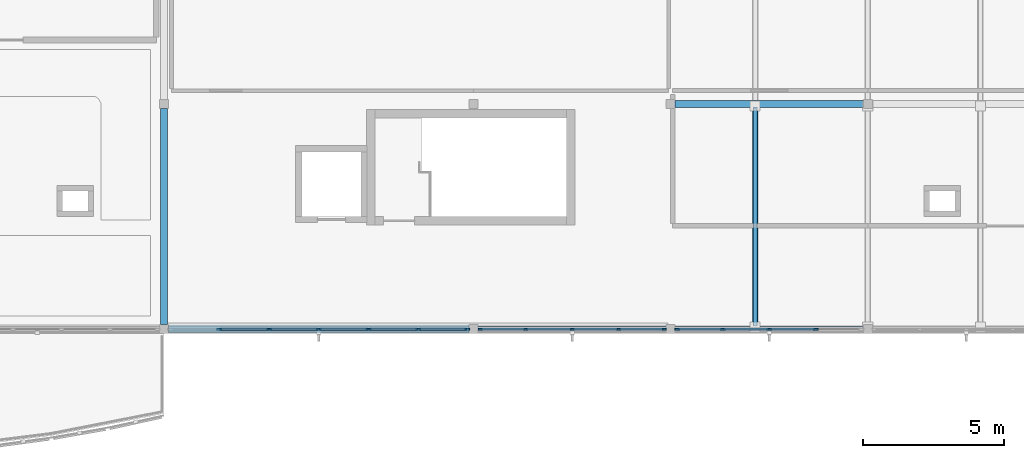
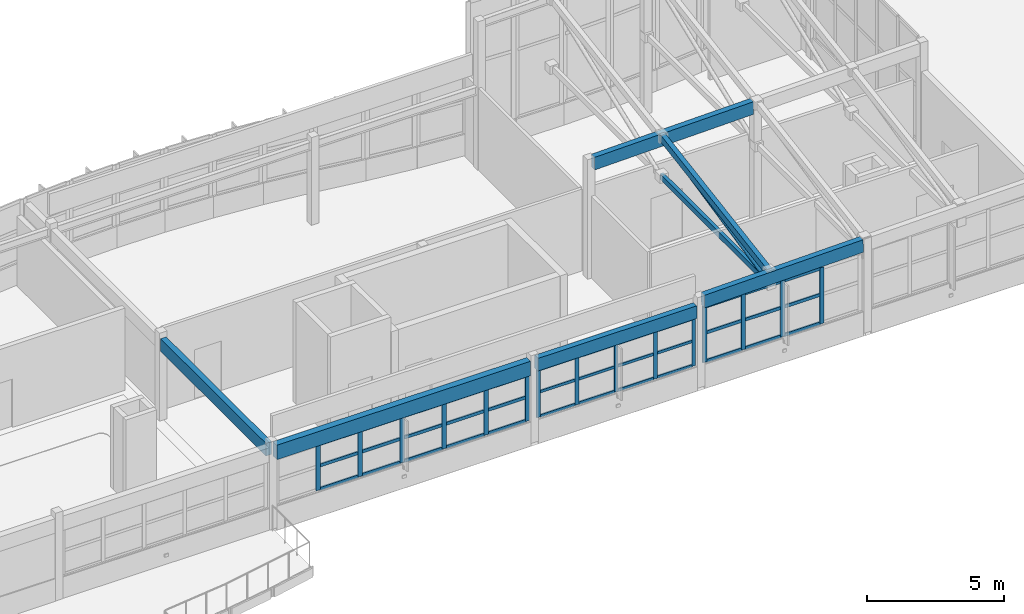
# One storey, part 9 of 33: 54 members, 5 beams, 3 elements without a shape of their own.
"""IFC4 building model written with IfcOpenShell, lengths in metres."""

from ifc_helpers import new_model, si_unit, direction, frame, origin, origin_2d, place, context, subcontext, project, spatial, rectangle, hollow_rectangle, hollow_circle, extrude, material, layer, layer_set, material_profile, profile_set, type_object, element, aggregate, save


model = new_model("IFC4")

# Units and contexts
model_context = context("Model", 3, precision=1e-05, world=origin(), true_north=direction((0.0, 1.0)))
body_context = subcontext(model_context, "Body", "Model", "MODEL_VIEW")
ifc_project = project(units=[si_unit("LENGTHUNIT", "METRE"), si_unit("AREAUNIT", "SQUARE_METRE"), si_unit("VOLUMEUNIT", "CUBIC_METRE"), si_unit("PLANEANGLEUNIT", "RADIAN"), si_unit("MASSUNIT", "GRAM", prefix="KILO")], contexts=[model_context])

# Site, building, storey
site_placement = place(None, origin())
site = spatial("IfcSite", under=ifc_project, at=site_placement, CompositionType="ELEMENT")
building_placement = place(site_placement, origin())
building = spatial("IfcBuilding", under=site, at=building_placement, Name="Tonlespit Floodbar School", CompositionType="ELEMENT")
storey_placement = place(building_placement, frame((0.0, 0.0, 16.199951171875)))
storey = spatial("IfcBuildingStorey", under=building, at=storey_placement, Name="L04", CompositionType="ELEMENT", Elevation=16.199951171875)

# Beams
ifc_material_1 = material(Name="Glulam GL28h", Category="wood")
ifc_material_profile_1 = material_profile(ifc_material_1, rectangle(XDim=0.239990234375, YDim=0.56005859375, at=origin_2d()), Name="GL 240x560")
ifc_profile_set_1 = profile_set([ifc_material_profile_1], Name="Glulam GL28h")
beam_type_1 = type_object("IfcBeamType", Name="Beam_GL_240x560", PredefinedType="BEAM", material=ifc_profile_set_1)
beam_1_placement = place(storey_placement, frame((127.159912109375, 104.0, 3.3701171875), z_axis=(1.0, 0.0, 0.0), x_axis=(0.0, 1.0, 0.0)))
element("IfcBeam", 1, at=beam_1_placement, inside=storey, type_object=beam_type_1, Name="L04 girder 1288", PredefinedType="BEAM", context=body_context, shape_type="SweptSolid", body=[
    extrude(rectangle(XDim=0.239990234375, YDim=0.56005859375, at=origin_2d()), origin(), (0.0, 0.0, 1.0), 6.68017578125),
])
for number, where, z_axis, x_axis, name in (
    (2, (134.159912109375, 104.0, 3.7236328125), (0.999786121149, 0.0, 0.020681198179), (0.0, 1.0, 0.0), "L04 girder 1289"),
    (3, (134.159912109375, 112.0, 5.007080078125), (0.999786121149, 0.0, 0.020681198179), (0.0, 1.0, 0.0), "L04 girder 1295"),
):
    element("IfcBeam", number, at=place(storey_placement, frame(where, z_axis=z_axis, x_axis=x_axis)), inside=storey, type_object=beam_type_1, Name=name, PredefinedType="BEAM", context=body_context, shape_type="SweptSolid", body=[
        extrude(rectangle(XDim=0.239990234375, YDim=0.56005859375, at=origin_2d()), origin(), (0.0, 0.0, 1.0), 6.681640625),
    ])
beam_2_placement = place(storey_placement, frame((116.0, 104.159912109375, 3.3701171875), z_axis=(0.0, 1.0, 0.0), x_axis=(-1.0, 0.0, 0.0)))
element("IfcBeam", 4, at=beam_2_placement, inside=storey, type_object=beam_type_1, Name="L04 girder 1319", PredefinedType="BEAM", context=body_context, shape_type="SweptSolid", body=[
    extrude(rectangle(XDim=0.239990234375, YDim=0.56005859375, at=origin_2d()), origin(), (0.0, 0.0, 1.0), 7.68017578125),
])
ifc_material_profile_2 = material_profile(ifc_material_1, rectangle(XDim=0.280029296875, YDim=0.639892578125, at=origin_2d()), Name="GL 280x640")
ifc_profile_set_2 = profile_set([ifc_material_profile_2], Name="Glulam GL28h")
beam_type_2 = type_object("IfcBeamType", Name="Beam_GL_280x640", PredefinedType="BEAM", material=ifc_profile_set_2)
beam_3_placement = place(storey_placement, frame((116.159912109375, 104.0, 3.330078125), z_axis=(1.0, 0.0, 0.0), x_axis=(0.0, 1.0, 0.0)))
element("IfcBeam", 5, at=beam_3_placement, inside=storey, type_object=beam_type_2, Name="L04 girder 1287", PredefinedType="BEAM", context=body_context, shape_type="SweptSolid", body=[
    extrude(rectangle(XDim=0.280029296875, YDim=0.639892578125, at=origin_2d()), origin(), (0.0, 0.0, 1.0), 10.68017578125),
])

# Member
ifc_material_2 = material(Name="Steel S355", Category="steel")
ifc_material_profile_3 = material_profile(ifc_material_2, hollow_circle(Radius=0.084228515625, WallThickness=0.008056640625, at=origin_2d()), Name="CHS 168.3x8")
ifc_profile_set_3 = profile_set([ifc_material_profile_3], Name="Steel S355")
member_type_1 = type_object("IfcMemberType", Name="Brace_STL_CHS168", PredefinedType="BRACE", material=ifc_profile_set_3)
member_1_placement = place(storey_placement, frame((137.0, 104.1201171875, 3.47998046875), z_axis=(0.0, 0.976943309794, 0.213498874586), x_axis=(-1.0, 0.0, 0.0)))
element("IfcMember", 6, at=member_1_placement, inside=storey, type_object=member_type_1, Name="Northlight truss diagonal web 1-1", PredefinedType="BRACE", context=body_context, shape_type="SweptSolid", body=[
    extrude(hollow_circle(Radius=0.084228515625, WallThickness=0.008056640625, at=origin_2d()), origin(), (0.0, 0.0, 1.0), 7.94287109375),
])

# Curtain wall, members
ifc_material_3 = material(Name="Anodised Aluminium", Category="aluminium")
ifc_layer_1 = layer(ifc_material_3, 0.159912109375)
ifc_layer_set_1 = layer_set([ifc_layer_1], Name="Anodised Aluminium")
curtain_wall_type_1 = type_object("IfcCurtainWallType", Name="CurtainWall_6600x2150", PredefinedType="NOTDEFINED", material=ifc_layer_set_1)
curtain_wall_1_placement = place(storey_placement, origin())
curtain_wall_1 = element("IfcCurtainWall", 7, at=curtain_wall_1_placement, inside=storey, type_object=curtain_wall_type_1, Name="L04 unitised curtain wall 0494", PredefinedType="NOTDEFINED")
ifc_material_profile_4 = material_profile(ifc_material_3, rectangle(XDim=0.06494140625, YDim=0.14990234375, at=origin_2d()), Name="ALU M65x150")
ifc_profile_set_4 = profile_set([ifc_material_profile_4], Name="Anodised Aluminium")
member_type_2 = type_object("IfcMemberType", Name="CW_Mullion_65x150", PredefinedType="MULLION", material=ifc_profile_set_4)
member_2_placement = place(storey_placement, frame((133.767578125, 104.0, 0.949951171875), z_axis=(0.0, 0.0, 1.0), x_axis=(0.0, -1.0, 0.0)))
member_2 = element("IfcMember", 8, at=member_2_placement, type_object=member_type_2, Name="CW-79 mullion 1", PredefinedType="MULLION", context=body_context, shape_type="SweptSolid", body=[
    extrude(rectangle(XDim=0.06494140625, YDim=0.14990234375, at=origin_2d()), origin(), (0.0, 0.0, 1.0), 2.14013671875),
])
member_3_placement = place(storey_placement, frame((132.14990234375, 104.0, 0.949951171875), z_axis=(0.0, 0.0, 1.0), x_axis=(0.0, -1.0, 0.0)))
member_3 = element("IfcMember", 9, at=member_3_placement, type_object=member_type_2, Name="CW-79 mullion 2", PredefinedType="MULLION", context=body_context, shape_type="SweptSolid", body=[
    extrude(rectangle(XDim=0.06494140625, YDim=0.14990234375, at=origin_2d()), origin(), (0.0, 0.0, 1.0), 2.14013671875),
])
member_4_placement = place(storey_placement, frame((130.5, 104.0, 0.949951171875), z_axis=(0.0, 0.0, 1.0), x_axis=(0.0, -1.0, 0.0)))
member_4 = element("IfcMember", 10, at=member_4_placement, type_object=member_type_2, Name="CW-79 mullion 3", PredefinedType="MULLION", context=body_context, shape_type="SweptSolid", body=[
    extrude(rectangle(XDim=0.06494140625, YDim=0.14990234375, at=origin_2d()), origin(), (0.0, 0.0, 1.0), 2.14013671875),
])
member_5_placement = place(storey_placement, frame((128.85009765625, 104.0, 0.949951171875), z_axis=(0.0, 0.0, 1.0), x_axis=(0.0, -1.0, 0.0)))
member_5 = element("IfcMember", 11, at=member_5_placement, type_object=member_type_2, Name="CW-79 mullion 4", PredefinedType="MULLION", context=body_context, shape_type="SweptSolid", body=[
    extrude(rectangle(XDim=0.06494140625, YDim=0.14990234375, at=origin_2d()), origin(), (0.0, 0.0, 1.0), 2.14013671875),
])
member_6_placement = place(storey_placement, frame((127.232421875, 104.0, 0.949951171875), z_axis=(0.0, 0.0, 1.0), x_axis=(0.0, -1.0, 0.0)))
member_6 = element("IfcMember", 12, at=member_6_placement, type_object=member_type_2, Name="CW-79 mullion 5", PredefinedType="MULLION", context=body_context, shape_type="SweptSolid", body=[
    extrude(rectangle(XDim=0.06494140625, YDim=0.14990234375, at=origin_2d()), origin(), (0.0, 0.0, 1.0), 2.14013671875),
])

ifc_layer_2 = layer(ifc_material_3, 0.159912109375)
ifc_layer_set_2 = layer_set([ifc_layer_2], Name="Anodised Aluminium")
curtain_wall_type_2 = type_object("IfcCurtainWallType", Name="CurtainWall_6600x2500", PredefinedType="NOTDEFINED", material=ifc_layer_set_2)
curtain_wall_2_placement = place(storey_placement, origin())
curtain_wall_2 = element("IfcCurtainWall", 13, at=curtain_wall_2_placement, inside=storey, type_object=curtain_wall_type_2, Name="L04 unitised curtain wall 0493", PredefinedType="NOTDEFINED")
ifc_material_profile_5 = material_profile(ifc_material_3, rectangle(XDim=0.06494140625, YDim=0.179931640625, at=origin_2d()), Name="ALU M65x180")
ifc_profile_set_5 = profile_set([ifc_material_profile_5], Name="Anodised Aluminium")
member_type_3 = type_object("IfcMemberType", Name="CW_Mullion_65x180", PredefinedType="MULLION", material=ifc_profile_set_5)
member_7_placement = place(storey_placement, frame((139.14990234375, 104.0, 0.949951171875), z_axis=(0.0, 0.0, 1.0), x_axis=(0.0, -1.0, 0.0)))
member_7 = element("IfcMember", 14, at=member_7_placement, type_object=member_type_3, Name="CW-78 mullion 2", PredefinedType="MULLION", context=body_context, shape_type="SweptSolid", body=[
    extrude(rectangle(XDim=0.06494140625, YDim=0.179931640625, at=origin_2d()), origin(), (0.0, 0.0, 1.0), 2.49365234375),
])
member_8_placement = place(storey_placement, frame((137.5, 104.0, 0.949951171875), z_axis=(0.0, 0.0, 1.0), x_axis=(0.0, -1.0, 0.0)))
member_8 = element("IfcMember", 15, at=member_8_placement, type_object=member_type_3, Name="CW-78 mullion 3", PredefinedType="MULLION", context=body_context, shape_type="SweptSolid", body=[
    extrude(rectangle(XDim=0.06494140625, YDim=0.179931640625, at=origin_2d()), origin(), (0.0, 0.0, 1.0), 2.49365234375),
])
member_9_placement = place(storey_placement, frame((135.85009765625, 104.0, 0.949951171875), z_axis=(0.0, 0.0, 1.0), x_axis=(0.0, -1.0, 0.0)))
member_9 = element("IfcMember", 16, at=member_9_placement, type_object=member_type_3, Name="CW-78 mullion 4", PredefinedType="MULLION", context=body_context, shape_type="SweptSolid", body=[
    extrude(rectangle(XDim=0.06494140625, YDim=0.179931640625, at=origin_2d()), origin(), (0.0, 0.0, 1.0), 2.49365234375),
])
member_10_placement = place(storey_placement, frame((134.232421875, 104.0, 0.949951171875), z_axis=(0.0, 0.0, 1.0), x_axis=(0.0, -1.0, 0.0)))
member_10 = element("IfcMember", 17, at=member_10_placement, type_object=member_type_3, Name="CW-78 mullion 5", PredefinedType="MULLION", context=body_context, shape_type="SweptSolid", body=[
    extrude(rectangle(XDim=0.06494140625, YDim=0.179931640625, at=origin_2d()), origin(), (0.0, 0.0, 1.0), 2.49365234375),
])

ifc_layer_3 = layer(ifc_material_3, 0.159912109375)
ifc_layer_set_3 = layer_set([ifc_layer_3], Name="Anodised Aluminium")
curtain_wall_type_3 = type_object("IfcCurtainWallType", Name="CurtainWall_10600x2050", PredefinedType="NOTDEFINED", material=ifc_layer_set_3)
curtain_wall_3_placement = place(storey_placement, origin())
curtain_wall_3 = element("IfcCurtainWall", 18, at=curtain_wall_3_placement, inside=storey, type_object=curtain_wall_type_3, Name="L04 unitised curtain wall 0495", PredefinedType="NOTDEFINED")
member_11_placement = place(storey_placement, frame((126.767578125, 104.0, 0.949951171875), z_axis=(0.0, 0.0, 1.0), x_axis=(0.0, -1.0, 0.0)))
member_11 = element("IfcMember", 19, at=member_11_placement, type_object=member_type_3, Name="CW-80 mullion 1", PredefinedType="MULLION", context=body_context, shape_type="SweptSolid", body=[
    extrude(rectangle(XDim=0.06494140625, YDim=0.179931640625, at=origin_2d()), origin(), (0.0, 0.0, 1.0), 2.06005859375),
])
member_12_placement = place(storey_placement, frame((125.033447265625, 104.0, 0.949951171875), z_axis=(0.0, 0.0, 1.0), x_axis=(0.0, -1.0, 0.0)))
member_12 = element("IfcMember", 20, at=member_12_placement, type_object=member_type_3, Name="CW-80 mullion 2", PredefinedType="MULLION", context=body_context, shape_type="SweptSolid", body=[
    extrude(rectangle(XDim=0.06494140625, YDim=0.179931640625, at=origin_2d()), origin(), (0.0, 0.0, 1.0), 2.06005859375),
])
member_13_placement = place(storey_placement, frame((123.2666015625, 104.0, 0.949951171875), z_axis=(0.0, 0.0, 1.0), x_axis=(0.0, -1.0, 0.0)))
member_13 = element("IfcMember", 21, at=member_13_placement, type_object=member_type_3, Name="CW-80 mullion 3", PredefinedType="MULLION", context=body_context, shape_type="SweptSolid", body=[
    extrude(rectangle(XDim=0.06494140625, YDim=0.179931640625, at=origin_2d()), origin(), (0.0, 0.0, 1.0), 2.06005859375),
])
member_14_placement = place(storey_placement, frame((121.5, 104.0, 0.949951171875), z_axis=(0.0, 0.0, 1.0), x_axis=(0.0, -1.0, 0.0)))
member_14 = element("IfcMember", 22, at=member_14_placement, type_object=member_type_3, Name="CW-80 mullion 4", PredefinedType="MULLION", context=body_context, shape_type="SweptSolid", body=[
    extrude(rectangle(XDim=0.06494140625, YDim=0.179931640625, at=origin_2d()), origin(), (0.0, 0.0, 1.0), 2.06005859375),
])
member_15_placement = place(storey_placement, frame((119.7333984375, 104.0, 0.949951171875), z_axis=(0.0, 0.0, 1.0), x_axis=(0.0, -1.0, 0.0)))
member_15 = element("IfcMember", 23, at=member_15_placement, type_object=member_type_3, Name="CW-80 mullion 5", PredefinedType="MULLION", context=body_context, shape_type="SweptSolid", body=[
    extrude(rectangle(XDim=0.06494140625, YDim=0.179931640625, at=origin_2d()), origin(), (0.0, 0.0, 1.0), 2.06005859375),
])
member_16_placement = place(storey_placement, frame((117.966552734375, 104.0, 0.949951171875), z_axis=(0.0, 0.0, 1.0), x_axis=(0.0, -1.0, 0.0)))
member_16 = element("IfcMember", 24, at=member_16_placement, type_object=member_type_3, Name="CW-80 mullion 6", PredefinedType="MULLION", context=body_context, shape_type="SweptSolid", body=[
    extrude(rectangle(XDim=0.06494140625, YDim=0.179931640625, at=origin_2d()), origin(), (0.0, 0.0, 1.0), 2.06005859375),
])

# Member
ifc_material_profile_6 = material_profile(ifc_material_3, rectangle(XDim=0.06494140625, YDim=0.1201171875, at=origin_2d()), Name="ALU T65x120")
ifc_profile_set_6 = profile_set([ifc_material_profile_6], Name="Anodised Aluminium")
member_type_4 = type_object("IfcMemberType", Name="CW_Transom_65x120", PredefinedType="USERDEFINED", material=ifc_profile_set_6)
member_17_placement = place(storey_placement, frame((133.735107421875, 104.0, 0.982666015625), z_axis=(-1.0, 0.0, 0.0), x_axis=(0.0, -1.0, 0.0)))
member_17 = element("IfcMember", 25, at=member_17_placement, type_object=member_type_4, Name="CW-79 transom 1.1", ObjectType="TRANSOM", PredefinedType="USERDEFINED", context=body_context, shape_type="SweptSolid", body=[
    extrude(rectangle(XDim=0.06494140625, YDim=0.1201171875, at=origin_2d()), origin(), (0.0, 0.0, 1.0), 1.552490234375),
])

member_18_placement = place(storey_placement, frame((133.735107421875, 104.0, 2.062744140625), z_axis=(-1.0, 0.0, 0.0), x_axis=(0.0, -1.0, 0.0)))
member_18 = element("IfcMember", 26, at=member_18_placement, type_object=member_type_4, Name="CW-79 transom 1.2", ObjectType="TRANSOM", PredefinedType="USERDEFINED", context=body_context, shape_type="SweptSolid", body=[
    extrude(rectangle(XDim=0.06494140625, YDim=0.1201171875, at=origin_2d()), origin(), (0.0, 0.0, 1.0), 1.552490234375),
])

member_19_placement = place(storey_placement, frame((133.735107421875, 104.0, 3.0576171875), z_axis=(-1.0, 0.0, 0.0), x_axis=(0.0, -1.0, 0.0)))
member_19 = element("IfcMember", 27, at=member_19_placement, type_object=member_type_4, Name="CW-79 transom 1.3", ObjectType="TRANSOM", PredefinedType="USERDEFINED", context=body_context, shape_type="SweptSolid", body=[
    extrude(rectangle(XDim=0.06494140625, YDim=0.1201171875, at=origin_2d()), origin(), (0.0, 0.0, 1.0), 1.552490234375),
])

member_20_placement = place(storey_placement, frame((132.117431640625, 104.0, 0.982666015625), z_axis=(-1.0, 0.0, 0.0), x_axis=(0.0, -1.0, 0.0)))
member_20 = element("IfcMember", 28, at=member_20_placement, type_object=member_type_4, Name="CW-79 transom 2.1", ObjectType="TRANSOM", PredefinedType="USERDEFINED", context=body_context, shape_type="SweptSolid", body=[
    extrude(rectangle(XDim=0.06494140625, YDim=0.1201171875, at=origin_2d()), origin(), (0.0, 0.0, 1.0), 1.5849609375),
])

member_21_placement = place(storey_placement, frame((132.117431640625, 104.0, 2.062744140625), z_axis=(-1.0, 0.0, 0.0), x_axis=(0.0, -1.0, 0.0)))
member_21 = element("IfcMember", 29, at=member_21_placement, type_object=member_type_4, Name="CW-79 transom 2.2", ObjectType="TRANSOM", PredefinedType="USERDEFINED", context=body_context, shape_type="SweptSolid", body=[
    extrude(rectangle(XDim=0.06494140625, YDim=0.1201171875, at=origin_2d()), origin(), (0.0, 0.0, 1.0), 1.5849609375),
])

member_22_placement = place(storey_placement, frame((132.117431640625, 104.0, 3.0576171875), z_axis=(-1.0, 0.0, 0.0), x_axis=(0.0, -1.0, 0.0)))
member_22 = element("IfcMember", 30, at=member_22_placement, type_object=member_type_4, Name="CW-79 transom 2.3", ObjectType="TRANSOM", PredefinedType="USERDEFINED", context=body_context, shape_type="SweptSolid", body=[
    extrude(rectangle(XDim=0.06494140625, YDim=0.1201171875, at=origin_2d()), origin(), (0.0, 0.0, 1.0), 1.5849609375),
])

member_23_placement = place(storey_placement, frame((130.467529296875, 104.0, 0.982666015625), z_axis=(-1.0, 0.0, 0.0), x_axis=(0.0, -1.0, 0.0)))
member_23 = element("IfcMember", 31, at=member_23_placement, type_object=member_type_4, Name="CW-79 transom 3.1", ObjectType="TRANSOM", PredefinedType="USERDEFINED", context=body_context, shape_type="SweptSolid", body=[
    extrude(rectangle(XDim=0.06494140625, YDim=0.1201171875, at=origin_2d()), origin(), (0.0, 0.0, 1.0), 1.5849609375),
])

member_24_placement = place(storey_placement, frame((130.467529296875, 104.0, 2.062744140625), z_axis=(-1.0, 0.0, 0.0), x_axis=(0.0, -1.0, 0.0)))
member_24 = element("IfcMember", 32, at=member_24_placement, type_object=member_type_4, Name="CW-79 transom 3.2", ObjectType="TRANSOM", PredefinedType="USERDEFINED", context=body_context, shape_type="SweptSolid", body=[
    extrude(rectangle(XDim=0.06494140625, YDim=0.1201171875, at=origin_2d()), origin(), (0.0, 0.0, 1.0), 1.5849609375),
])

member_25_placement = place(storey_placement, frame((130.467529296875, 104.0, 3.0576171875), z_axis=(-1.0, 0.0, 0.0), x_axis=(0.0, -1.0, 0.0)))
member_25 = element("IfcMember", 33, at=member_25_placement, type_object=member_type_4, Name="CW-79 transom 3.3", ObjectType="TRANSOM", PredefinedType="USERDEFINED", context=body_context, shape_type="SweptSolid", body=[
    extrude(rectangle(XDim=0.06494140625, YDim=0.1201171875, at=origin_2d()), origin(), (0.0, 0.0, 1.0), 1.5849609375),
])

member_26_placement = place(storey_placement, frame((128.8173828125, 104.0, 0.982666015625), z_axis=(-1.0, 0.0, 0.0), x_axis=(0.0, -1.0, 0.0)))
member_26 = element("IfcMember", 34, at=member_26_placement, type_object=member_type_4, Name="CW-79 transom 4.1", ObjectType="TRANSOM", PredefinedType="USERDEFINED", context=body_context, shape_type="SweptSolid", body=[
    extrude(rectangle(XDim=0.06494140625, YDim=0.1201171875, at=origin_2d()), origin(), (0.0, 0.0, 1.0), 1.552490234375),
])

member_27_placement = place(storey_placement, frame((128.8173828125, 104.0, 2.062744140625), z_axis=(-1.0, 0.0, 0.0), x_axis=(0.0, -1.0, 0.0)))
member_27 = element("IfcMember", 35, at=member_27_placement, type_object=member_type_4, Name="CW-79 transom 4.2", ObjectType="TRANSOM", PredefinedType="USERDEFINED", context=body_context, shape_type="SweptSolid", body=[
    extrude(rectangle(XDim=0.06494140625, YDim=0.1201171875, at=origin_2d()), origin(), (0.0, 0.0, 1.0), 1.552490234375),
])

member_28_placement = place(storey_placement, frame((128.8173828125, 104.0, 3.0576171875), z_axis=(-1.0, 0.0, 0.0), x_axis=(0.0, -1.0, 0.0)))
member_28 = element("IfcMember", 36, at=member_28_placement, type_object=member_type_4, Name="CW-79 transom 4.3", ObjectType="TRANSOM", PredefinedType="USERDEFINED", context=body_context, shape_type="SweptSolid", body=[
    extrude(rectangle(XDim=0.06494140625, YDim=0.1201171875, at=origin_2d()), origin(), (0.0, 0.0, 1.0), 1.552490234375),
])

aggregate(curtain_wall_1, [member_2, member_3, member_4, member_5, member_6, member_17, member_18, member_19, member_20, member_21, member_22, member_23, member_24, member_25, member_26, member_27, member_28])

ifc_material_profile_7 = material_profile(ifc_material_3, rectangle(XDim=0.06494140625, YDim=0.139892578125, at=origin_2d()), Name="ALU T65x140")
ifc_profile_set_7 = profile_set([ifc_material_profile_7], Name="Anodised Aluminium")
member_type_5 = type_object("IfcMemberType", Name="CW_Transom_65x140", PredefinedType="USERDEFINED", material=ifc_profile_set_7)
member_29_placement = place(storey_placement, frame((139.117431640625, 104.0, 0.982666015625), z_axis=(-1.0, 0.0, 0.0), x_axis=(0.0, -1.0, 0.0)))
member_29 = element("IfcMember", 37, at=member_29_placement, type_object=member_type_5, Name="CW-78 transom 2.1", ObjectType="TRANSOM", PredefinedType="USERDEFINED", context=body_context, shape_type="SweptSolid", body=[
    extrude(rectangle(XDim=0.06494140625, YDim=0.139892578125, at=origin_2d()), origin(), (0.0, 0.0, 1.0), 1.5849609375),
])

member_30_placement = place(storey_placement, frame((139.117431640625, 104.0, 2.24658203125), z_axis=(-1.0, 0.0, 0.0), x_axis=(0.0, -1.0, 0.0)))
member_30 = element("IfcMember", 38, at=member_30_placement, type_object=member_type_5, Name="CW-78 transom 2.2", ObjectType="TRANSOM", PredefinedType="USERDEFINED", context=body_context, shape_type="SweptSolid", body=[
    extrude(rectangle(XDim=0.06494140625, YDim=0.139892578125, at=origin_2d()), origin(), (0.0, 0.0, 1.0), 1.5849609375),
])

member_31_placement = place(storey_placement, frame((139.117431640625, 104.0, 3.4111328125), z_axis=(-1.0, 0.0, 0.0), x_axis=(0.0, -1.0, 0.0)))
member_31 = element("IfcMember", 39, at=member_31_placement, type_object=member_type_5, Name="CW-78 transom 2.3", ObjectType="TRANSOM", PredefinedType="USERDEFINED", context=body_context, shape_type="SweptSolid", body=[
    extrude(rectangle(XDim=0.06494140625, YDim=0.139892578125, at=origin_2d()), origin(), (0.0, 0.0, 1.0), 1.5849609375),
])

member_32_placement = place(storey_placement, frame((137.467529296875, 104.0, 0.982666015625), z_axis=(-1.0, 0.0, 0.0), x_axis=(0.0, -1.0, 0.0)))
member_32 = element("IfcMember", 40, at=member_32_placement, type_object=member_type_5, Name="CW-78 transom 3.1", ObjectType="TRANSOM", PredefinedType="USERDEFINED", context=body_context, shape_type="SweptSolid", body=[
    extrude(rectangle(XDim=0.06494140625, YDim=0.139892578125, at=origin_2d()), origin(), (0.0, 0.0, 1.0), 1.5849609375),
])

member_33_placement = place(storey_placement, frame((137.467529296875, 104.0, 2.24658203125), z_axis=(-1.0, 0.0, 0.0), x_axis=(0.0, -1.0, 0.0)))
member_33 = element("IfcMember", 41, at=member_33_placement, type_object=member_type_5, Name="CW-78 transom 3.2", ObjectType="TRANSOM", PredefinedType="USERDEFINED", context=body_context, shape_type="SweptSolid", body=[
    extrude(rectangle(XDim=0.06494140625, YDim=0.139892578125, at=origin_2d()), origin(), (0.0, 0.0, 1.0), 1.5849609375),
])

member_34_placement = place(storey_placement, frame((137.467529296875, 104.0, 3.4111328125), z_axis=(-1.0, 0.0, 0.0), x_axis=(0.0, -1.0, 0.0)))
member_34 = element("IfcMember", 42, at=member_34_placement, type_object=member_type_5, Name="CW-78 transom 3.3", ObjectType="TRANSOM", PredefinedType="USERDEFINED", context=body_context, shape_type="SweptSolid", body=[
    extrude(rectangle(XDim=0.06494140625, YDim=0.139892578125, at=origin_2d()), origin(), (0.0, 0.0, 1.0), 1.5849609375),
])

member_35_placement = place(storey_placement, frame((135.8173828125, 104.0, 0.982666015625), z_axis=(-1.0, 0.0, 0.0), x_axis=(0.0, -1.0, 0.0)))
member_35 = element("IfcMember", 43, at=member_35_placement, type_object=member_type_5, Name="CW-78 transom 4.1", ObjectType="TRANSOM", PredefinedType="USERDEFINED", context=body_context, shape_type="SweptSolid", body=[
    extrude(rectangle(XDim=0.06494140625, YDim=0.139892578125, at=origin_2d()), origin(), (0.0, 0.0, 1.0), 1.552490234375),
])

member_36_placement = place(storey_placement, frame((135.8173828125, 104.0, 2.24658203125), z_axis=(-1.0, 0.0, 0.0), x_axis=(0.0, -1.0, 0.0)))
member_36 = element("IfcMember", 44, at=member_36_placement, type_object=member_type_5, Name="CW-78 transom 4.2", ObjectType="TRANSOM", PredefinedType="USERDEFINED", context=body_context, shape_type="SweptSolid", body=[
    extrude(rectangle(XDim=0.06494140625, YDim=0.139892578125, at=origin_2d()), origin(), (0.0, 0.0, 1.0), 1.552490234375),
])

member_37_placement = place(storey_placement, frame((135.8173828125, 104.0, 3.4111328125), z_axis=(-1.0, 0.0, 0.0), x_axis=(0.0, -1.0, 0.0)))
member_37 = element("IfcMember", 45, at=member_37_placement, type_object=member_type_5, Name="CW-78 transom 4.3", ObjectType="TRANSOM", PredefinedType="USERDEFINED", context=body_context, shape_type="SweptSolid", body=[
    extrude(rectangle(XDim=0.06494140625, YDim=0.139892578125, at=origin_2d()), origin(), (0.0, 0.0, 1.0), 1.552490234375),
])

aggregate(curtain_wall_2, [member_7, member_8, member_9, member_10, member_29, member_30, member_31, member_32, member_33, member_34, member_35, member_36, member_37])

member_38_placement = place(storey_placement, frame((126.735107421875, 104.0, 0.982666015625), z_axis=(-1.0, 0.0, 0.0), x_axis=(0.0, -1.0, 0.0)))
member_38 = element("IfcMember", 46, at=member_38_placement, type_object=member_type_5, Name="CW-80 transom 1.1", ObjectType="TRANSOM", PredefinedType="USERDEFINED", context=body_context, shape_type="SweptSolid", body=[
    extrude(rectangle(XDim=0.06494140625, YDim=0.139892578125, at=origin_2d()), origin(), (0.0, 0.0, 1.0), 1.669189453125),
])

member_39_placement = place(storey_placement, frame((126.735107421875, 104.0, 2.021240234375), z_axis=(-1.0, 0.0, 0.0), x_axis=(0.0, -1.0, 0.0)))
member_39 = element("IfcMember", 47, at=member_39_placement, type_object=member_type_5, Name="CW-80 transom 1.2", ObjectType="TRANSOM", PredefinedType="USERDEFINED", context=body_context, shape_type="SweptSolid", body=[
    extrude(rectangle(XDim=0.06494140625, YDim=0.139892578125, at=origin_2d()), origin(), (0.0, 0.0, 1.0), 1.669189453125),
])

member_40_placement = place(storey_placement, frame((126.735107421875, 104.0, 2.9775390625), z_axis=(-1.0, 0.0, 0.0), x_axis=(0.0, -1.0, 0.0)))
member_40 = element("IfcMember", 48, at=member_40_placement, type_object=member_type_5, Name="CW-80 transom 1.3", ObjectType="TRANSOM", PredefinedType="USERDEFINED", context=body_context, shape_type="SweptSolid", body=[
    extrude(rectangle(XDim=0.06494140625, YDim=0.139892578125, at=origin_2d()), origin(), (0.0, 0.0, 1.0), 1.669189453125),
])

member_41_placement = place(storey_placement, frame((125.000732421875, 104.0, 0.982666015625), z_axis=(-1.0, 0.0, 0.0), x_axis=(0.0, -1.0, 0.0)))
member_41 = element("IfcMember", 49, at=member_41_placement, type_object=member_type_5, Name="CW-80 transom 2.1", ObjectType="TRANSOM", PredefinedType="USERDEFINED", context=body_context, shape_type="SweptSolid", body=[
    extrude(rectangle(XDim=0.06494140625, YDim=0.139892578125, at=origin_2d()), origin(), (0.0, 0.0, 1.0), 1.70166015625),
])

member_42_placement = place(storey_placement, frame((125.000732421875, 104.0, 2.021240234375), z_axis=(-1.0, 0.0, 0.0), x_axis=(0.0, -1.0, 0.0)))
member_42 = element("IfcMember", 50, at=member_42_placement, type_object=member_type_5, Name="CW-80 transom 2.2", ObjectType="TRANSOM", PredefinedType="USERDEFINED", context=body_context, shape_type="SweptSolid", body=[
    extrude(rectangle(XDim=0.06494140625, YDim=0.139892578125, at=origin_2d()), origin(), (0.0, 0.0, 1.0), 1.70166015625),
])

member_43_placement = place(storey_placement, frame((125.000732421875, 104.0, 2.9775390625), z_axis=(-1.0, 0.0, 0.0), x_axis=(0.0, -1.0, 0.0)))
member_43 = element("IfcMember", 51, at=member_43_placement, type_object=member_type_5, Name="CW-80 transom 2.3", ObjectType="TRANSOM", PredefinedType="USERDEFINED", context=body_context, shape_type="SweptSolid", body=[
    extrude(rectangle(XDim=0.06494140625, YDim=0.139892578125, at=origin_2d()), origin(), (0.0, 0.0, 1.0), 1.70166015625),
])

member_44_placement = place(storey_placement, frame((123.234130859375, 104.0, 0.982666015625), z_axis=(-1.0, 0.0, 0.0), x_axis=(0.0, -1.0, 0.0)))
member_44 = element("IfcMember", 52, at=member_44_placement, type_object=member_type_5, Name="CW-80 transom 3.1", ObjectType="TRANSOM", PredefinedType="USERDEFINED", context=body_context, shape_type="SweptSolid", body=[
    extrude(rectangle(XDim=0.06494140625, YDim=0.139892578125, at=origin_2d()), origin(), (0.0, 0.0, 1.0), 1.70166015625),
])

member_45_placement = place(storey_placement, frame((123.234130859375, 104.0, 2.021240234375), z_axis=(-1.0, 0.0, 0.0), x_axis=(0.0, -1.0, 0.0)))
member_45 = element("IfcMember", 53, at=member_45_placement, type_object=member_type_5, Name="CW-80 transom 3.2", ObjectType="TRANSOM", PredefinedType="USERDEFINED", context=body_context, shape_type="SweptSolid", body=[
    extrude(rectangle(XDim=0.06494140625, YDim=0.139892578125, at=origin_2d()), origin(), (0.0, 0.0, 1.0), 1.70166015625),
])

member_46_placement = place(storey_placement, frame((123.234130859375, 104.0, 2.9775390625), z_axis=(-1.0, 0.0, 0.0), x_axis=(0.0, -1.0, 0.0)))
member_46 = element("IfcMember", 54, at=member_46_placement, type_object=member_type_5, Name="CW-80 transom 3.3", ObjectType="TRANSOM", PredefinedType="USERDEFINED", context=body_context, shape_type="SweptSolid", body=[
    extrude(rectangle(XDim=0.06494140625, YDim=0.139892578125, at=origin_2d()), origin(), (0.0, 0.0, 1.0), 1.70166015625),
])

member_47_placement = place(storey_placement, frame((121.467529296875, 104.0, 0.982666015625), z_axis=(-1.0, 0.0, 0.0), x_axis=(0.0, -1.0, 0.0)))
member_47 = element("IfcMember", 55, at=member_47_placement, type_object=member_type_5, Name="CW-80 transom 4.1", ObjectType="TRANSOM", PredefinedType="USERDEFINED", context=body_context, shape_type="SweptSolid", body=[
    extrude(rectangle(XDim=0.06494140625, YDim=0.139892578125, at=origin_2d()), origin(), (0.0, 0.0, 1.0), 1.70166015625),
])

member_48_placement = place(storey_placement, frame((121.467529296875, 104.0, 2.021240234375), z_axis=(-1.0, 0.0, 0.0), x_axis=(0.0, -1.0, 0.0)))
member_48 = element("IfcMember", 56, at=member_48_placement, type_object=member_type_5, Name="CW-80 transom 4.2", ObjectType="TRANSOM", PredefinedType="USERDEFINED", context=body_context, shape_type="SweptSolid", body=[
    extrude(rectangle(XDim=0.06494140625, YDim=0.139892578125, at=origin_2d()), origin(), (0.0, 0.0, 1.0), 1.70166015625),
])

member_49_placement = place(storey_placement, frame((121.467529296875, 104.0, 2.9775390625), z_axis=(-1.0, 0.0, 0.0), x_axis=(0.0, -1.0, 0.0)))
member_49 = element("IfcMember", 57, at=member_49_placement, type_object=member_type_5, Name="CW-80 transom 4.3", ObjectType="TRANSOM", PredefinedType="USERDEFINED", context=body_context, shape_type="SweptSolid", body=[
    extrude(rectangle(XDim=0.06494140625, YDim=0.139892578125, at=origin_2d()), origin(), (0.0, 0.0, 1.0), 1.70166015625),
])

member_50_placement = place(storey_placement, frame((119.700927734375, 104.0, 0.982666015625), z_axis=(-1.0, 0.0, 0.0), x_axis=(0.0, -1.0, 0.0)))
member_50 = element("IfcMember", 58, at=member_50_placement, type_object=member_type_5, Name="CW-80 transom 5.1", ObjectType="TRANSOM", PredefinedType="USERDEFINED", context=body_context, shape_type="SweptSolid", body=[
    extrude(rectangle(XDim=0.06494140625, YDim=0.139892578125, at=origin_2d()), origin(), (0.0, 0.0, 1.0), 1.70166015625),
])

member_51_placement = place(storey_placement, frame((119.700927734375, 104.0, 2.021240234375), z_axis=(-1.0, 0.0, 0.0), x_axis=(0.0, -1.0, 0.0)))
member_51 = element("IfcMember", 59, at=member_51_placement, type_object=member_type_5, Name="CW-80 transom 5.2", ObjectType="TRANSOM", PredefinedType="USERDEFINED", context=body_context, shape_type="SweptSolid", body=[
    extrude(rectangle(XDim=0.06494140625, YDim=0.139892578125, at=origin_2d()), origin(), (0.0, 0.0, 1.0), 1.70166015625),
])

member_52_placement = place(storey_placement, frame((119.700927734375, 104.0, 2.9775390625), z_axis=(-1.0, 0.0, 0.0), x_axis=(0.0, -1.0, 0.0)))
member_52 = element("IfcMember", 60, at=member_52_placement, type_object=member_type_5, Name="CW-80 transom 5.3", ObjectType="TRANSOM", PredefinedType="USERDEFINED", context=body_context, shape_type="SweptSolid", body=[
    extrude(rectangle(XDim=0.06494140625, YDim=0.139892578125, at=origin_2d()), origin(), (0.0, 0.0, 1.0), 1.70166015625),
])

aggregate(curtain_wall_3, [member_11, member_12, member_13, member_14, member_15, member_16, member_38, member_39, member_40, member_41, member_42, member_43, member_44, member_45, member_46, member_47, member_48, member_49, member_50, member_51, member_52])

# Members
ifc_material_profile_8 = material_profile(ifc_material_2, hollow_rectangle(XDim=0.14990234375, YDim=0.25, WallThickness=0.010009765625, at=origin_2d()), Name="RHS 250x150x10")
ifc_profile_set_8 = profile_set([ifc_material_profile_8], Name="Steel S355")
member_type_6 = type_object("IfcMemberType", Name="Chord_STL_RHS250", PredefinedType="CHORD", material=ifc_profile_set_8)
member_53_placement = place(storey_placement, frame((137.0, 104.080078125, 3.449951171875), z_axis=(0.0, 1.0, 0.0), x_axis=(-1.0, 0.0, 0.0)))
element("IfcMember", 61, at=member_53_placement, inside=storey, type_object=member_type_6, Name="Northlight truss bottom chord 1-1", PredefinedType="CHORD", context=body_context, shape_type="SweptSolid", body=[
    extrude(hollow_rectangle(XDim=0.14990234375, YDim=0.25, WallThickness=0.010009765625, at=origin_2d()), origin(), (0.0, 0.0, 1.0), 7.83984375),
])
ifc_material_profile_9 = material_profile(ifc_material_2, hollow_rectangle(XDim=0.199951171875, YDim=0.300048828125, WallThickness=0.011962890625, at=origin_2d()), Name="RHS 300x200x12")
ifc_profile_set_9 = profile_set([ifc_material_profile_9], Name="Steel S355")
member_type_7 = type_object("IfcMemberType", Name="Chord_STL_RHS300", PredefinedType="CHORD", material=ifc_profile_set_9)
member_54_placement = place(storey_placement, frame((137.0, 104.080078125, 3.9423828125), z_axis=(0.0, 0.986863271212, 0.161557679894), x_axis=(-1.0, 0.0, 0.0)))
element("IfcMember", 62, at=member_54_placement, inside=storey, type_object=member_type_7, Name="Northlight truss top chord 1-1", PredefinedType="CHORD", context=body_context, shape_type="SweptSolid", body=[
    extrude(hollow_rectangle(XDim=0.199951171875, YDim=0.300048828125, WallThickness=0.011962890625, at=origin_2d()), origin(), (0.0, 0.0, 1.0), 7.944091796875),
])

save(model, "model.ifc")
